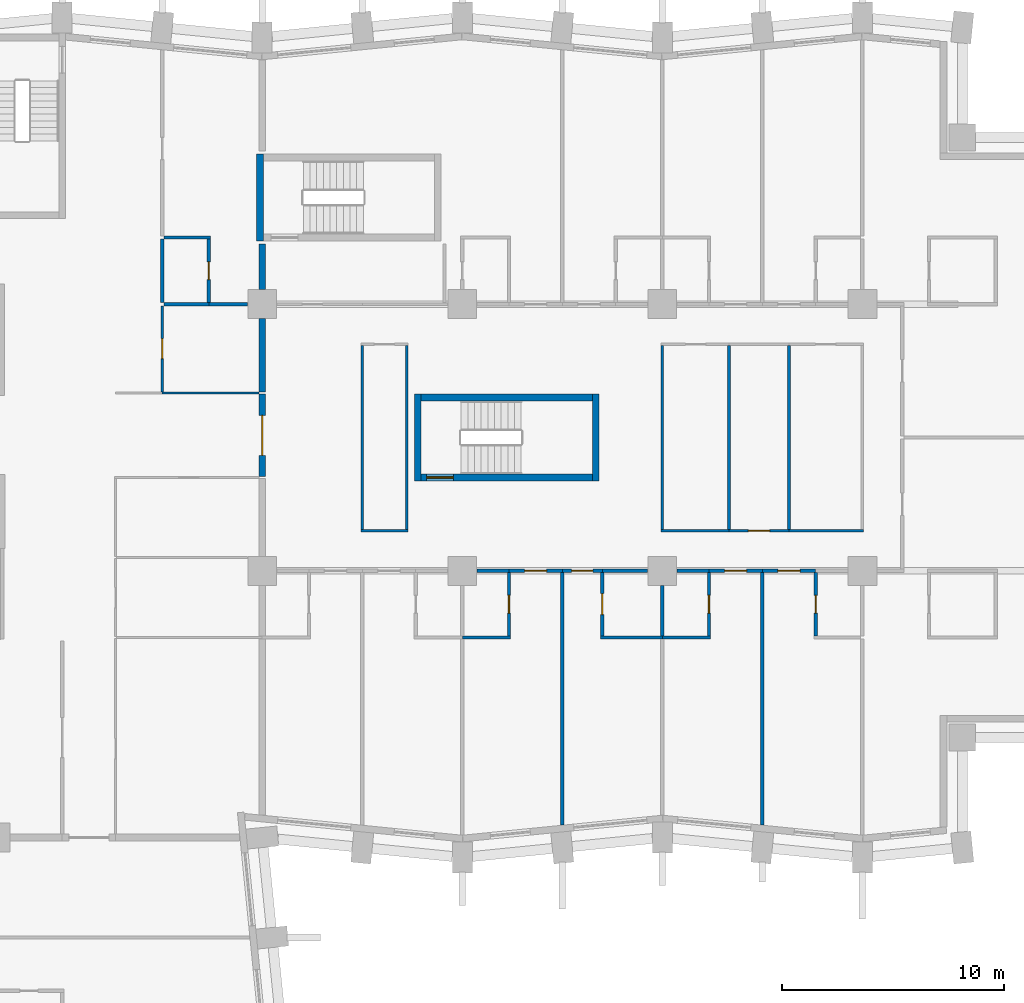
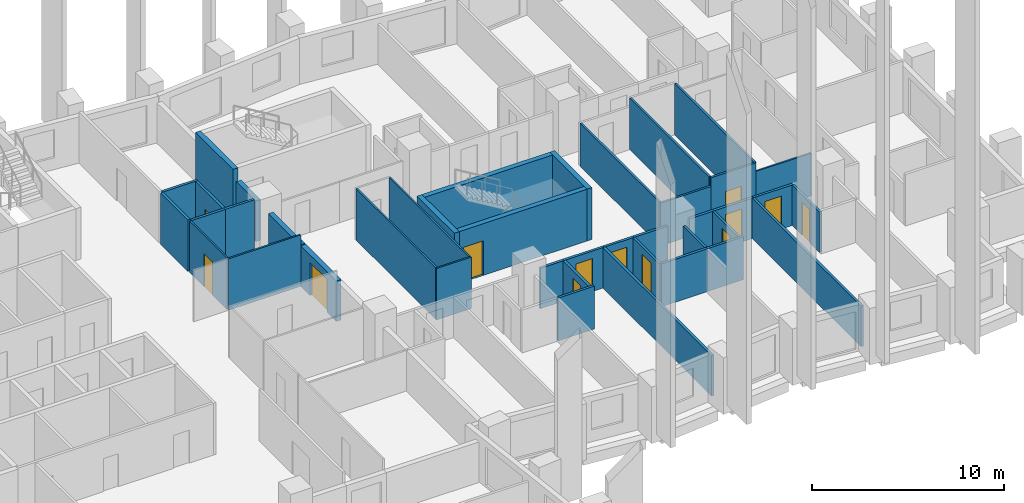
# One storey, part 8 of 13: 41 walls, 13 doors, 13 openings.
"""IFC4 building model written with IfcOpenShell, lengths in metres."""

from ifc_helpers import new_model, si_unit, direction, frame, frame_2d, origin, place, context, subcontext, project, spatial, rectangle, extrude, material, layer, layer_set, type_object, element, fill, save


model = new_model("IFC4")

# Units and contexts
model_context = context("Model", 3, precision=1e-05, world=origin(), true_north=direction((0.0, 1.0)))
body_context = subcontext(model_context, "Body", "Model", "MODEL_VIEW")
ifc_project = project(units=[si_unit("LENGTHUNIT", "METRE"), si_unit("AREAUNIT", "SQUARE_METRE"), si_unit("VOLUMEUNIT", "CUBIC_METRE"), si_unit("PLANEANGLEUNIT", "RADIAN"), si_unit("MASSUNIT", "GRAM", prefix="KILO")], contexts=[model_context])

# Site, building, storey
site_placement = place(None, origin())
site = spatial("IfcSite", under=ifc_project, at=site_placement, CompositionType="ELEMENT")
building_placement = place(site_placement, origin())
building = spatial("IfcBuilding", under=site, at=building_placement, Name="Brondeck Convention Tower", CompositionType="ELEMENT")
storey_placement = place(building_placement, frame((0.0, 0.0, 37.5)))
storey = spatial("IfcBuildingStorey", under=building, at=storey_placement, Name="L06", CompositionType="ELEMENT", Elevation=37.5)

# Wall, opening, door
ifc_material_1 = material(Name="Concrete compartment wall C30/37", Category="concrete")
ifc_layer_1 = layer(ifc_material_1, 0.300048828125)
ifc_layer_set_1 = layer_set([ifc_layer_1], Name="Compartment wall 300")
wall_type_1 = type_object("IfcWallType", Name="Compartment wall 300", PredefinedType="PARTITIONING", material=ifc_layer_set_1)
wall_1_placement = place(storey_placement, frame((36.0, 46.949951171875, 0.0), z_axis=(0.0, 0.0, 1.0), x_axis=(0.0, -1.0, 0.0)))
wall_1 = element("IfcWall", 1, at=wall_1_placement, inside=storey, type_object=wall_type_1, Name="FLR-L06-W114", PredefinedType="PARTITIONING", context=body_context, shape_type="SweptSolid", body=[
    extrude(rectangle(XDim=3.699951171875, YDim=0.300048828125, at=frame_2d((1.85009765625, 0.0))), origin(), (0.0, 0.0, 1.0), 2.580078125),
])
opening_1_placement = place(wall_1_placement, frame((0.949951171875, 0.0, 0.0)))
opening_1 = element("IfcOpeningElement", 2, at=opening_1_placement, cuts=wall_1, Name="Opening H1-054", PredefinedType="OPENING", context=body_context, shape_type="SweptSolid", body=[
    extrude(rectangle(XDim=1.800048828125, YDim=2.10009765625, at=frame_2d((0.89990234375, 1.050048828125))), frame((0.0, 0.159912109375, 0.0), z_axis=(0.0, -1.0, 0.0), x_axis=(1.0, 0.0, 0.0)), (0.0, 0.0, 1.0), 0.320068359375),
])
ifc_material_2 = material(Name="Steel fire door pair", Category="steel")
door_type_1 = type_object("IfcDoorType", Name="Fire door pair 1800", OperationType="DOUBLE_DOOR_SINGLE_SWING", PredefinedType="DOOR", material=ifc_material_2)
door_1_placement = place(opening_1_placement, origin())
door_1 = element("IfcDoor", 3, at=door_1_placement, inside=storey, type_object=door_type_1, Name="Door H1-054", OperationType="DOUBLE_DOOR_SINGLE_SWING", OverallHeight=2.10009765625, OverallWidth=1.800048828125, PredefinedType="DOOR", context=body_context, shape_type="SweptSolid", body=[
    extrude(rectangle(XDim=1.800048828125, YDim=2.10009765625, at=frame_2d((0.89990234375, 1.050048828125))), frame((0.0, 0.02490234375, 0.0), z_axis=(0.0, -1.0, 0.0), x_axis=(1.0, 0.0, 0.0)), (0.0, 0.0, 1.0), 0.050048828125),
])
fill(opening_1, door_1)

# Walls
wall_2_placement = place(storey_placement, frame((36.0, 50.344970703125, 0.0), z_axis=(0.0, 0.0, 1.0), x_axis=(0.0, -1.0, 0.0)))
element("IfcWall", 4, at=wall_2_placement, inside=storey, type_object=wall_type_1, Name="FLR-L06-W126", PredefinedType="PARTITIONING", context=body_context, shape_type="SweptSolid", body=[
    extrude(rectangle(XDim=3.294921875, YDim=0.300048828125, at=frame_2d((1.6474609375, 0.0))), origin(), (0.0, 0.0, 1.0), 2.580078125),
])
wall_3_placement = place(storey_placement, frame((36.0, 53.699951171875, 0.0), z_axis=(0.0, 0.0, 1.0), x_axis=(0.0, -1.0, 0.0)))
element("IfcWall", 5, at=wall_3_placement, inside=storey, type_object=wall_type_1, Name="FLR-L06-W147", PredefinedType="PARTITIONING", context=body_context, shape_type="SweptSolid", body=[
    extrude(rectangle(XDim=2.044921875, YDim=0.300048828125, at=frame_2d((1.0224609375, 0.0))), origin(), (0.0, 0.0, 1.0), 2.580078125),
])
ifc_material_3 = material(Name="Double gypsum board acoustic wall")
ifc_layer_2 = layer(ifc_material_3, 0.14990234375)
ifc_layer_set_2 = layer_set([ifc_layer_2], Name="Guest room party wall 150")
wall_type_2 = type_object("IfcWallType", Name="Guest room party wall 150", PredefinedType="PARTITIONING", material=ifc_layer_set_2)
wall_4_placement = place(storey_placement, frame((45.0, 36.0, 0.0), z_axis=(0.0, 0.0, 1.0), x_axis=(1.0, 0.0, 0.0)))
element("IfcWall", 6, at=wall_4_placement, inside=storey, type_object=wall_type_2, Name="FLR-L06-W068", PredefinedType="PARTITIONING", context=body_context, shape_type="SweptSolid", body=[
    extrude(rectangle(XDim=2.175048828125, YDim=0.14990234375, at=frame_2d((1.08740234375, 0.0))), origin(), (0.0, 0.0, 1.0), 2.72998046875),
])
wall_5_placement = place(storey_placement, frame((51.22509765625, 36.0, 0.0), z_axis=(0.0, 0.0, 1.0), x_axis=(1.0, 0.0, 0.0)))
element("IfcWall", 7, at=wall_5_placement, inside=storey, type_object=wall_type_2, Name="FLR-L06-W069", PredefinedType="PARTITIONING", context=body_context, shape_type="SweptSolid", body=[
    extrude(rectangle(XDim=2.77490234375, YDim=0.14990234375, at=frame_2d((1.387451171875, 0.0))), origin(), (0.0, 0.0, 1.0), 2.72998046875),
])
wall_6_placement = place(storey_placement, frame((54.0, 36.0, 0.0), z_axis=(0.0, 0.0, 1.0), x_axis=(1.0, 0.0, 0.0)))
element("IfcWall", 8, at=wall_6_placement, inside=storey, type_object=wall_type_2, Name="FLR-L06-W070", PredefinedType="PARTITIONING", context=body_context, shape_type="SweptSolid", body=[
    extrude(rectangle(XDim=2.175048828125, YDim=0.14990234375, at=frame_2d((1.08740234375, 0.0))), origin(), (0.0, 0.0, 1.0), 2.72998046875),
])

# Wall, opening, door
wall_7_placement = place(storey_placement, frame((47.10009765625, 36.074951171875, 0.0), z_axis=(0.0, 0.0, 1.0), x_axis=(0.0, 1.0, 0.0)))
wall_7 = element("IfcWall", 9, at=wall_7_placement, inside=storey, type_object=wall_type_2, Name="FLR-L06-W074", PredefinedType="PARTITIONING", context=body_context, shape_type="SweptSolid", body=[
    extrude(rectangle(XDim=2.85009765625, YDim=0.14990234375, at=frame_2d((1.425048828125, 0.0))), origin(), (0.0, 0.0, 1.0), 2.580078125),
])
opening_2_placement = place(wall_7_placement, frame((1.02490234375, 0.0, 0.0)))
opening_2 = element("IfcOpeningElement", 10, at=opening_2_placement, cuts=wall_7, Name="Opening H1-015", PredefinedType="OPENING", context=body_context, shape_type="SweptSolid", body=[
    extrude(rectangle(XDim=0.800048828125, YDim=2.10009765625, at=frame_2d((0.39990234375, 1.050048828125))), frame((0.0, 0.0849609375, 0.0), z_axis=(0.0, -1.0, 0.0), x_axis=(1.0, 0.0, 0.0)), (0.0, 0.0, 1.0), 0.169921875),
])
ifc_material_4 = material(Name="Solid timber door leaf", Category="wood")
door_type_2 = type_object("IfcDoorType", Name="En-suite door 800", OperationType="NOTDEFINED", PredefinedType="DOOR", material=ifc_material_4)
door_2_placement = place(opening_2_placement, origin())
door_2 = element("IfcDoor", 11, at=door_2_placement, inside=storey, type_object=door_type_2, Name="Door H1-015", OperationType="SINGLE_SWING_LEFT", OverallHeight=2.10009765625, OverallWidth=0.800048828125, PredefinedType="DOOR", context=body_context, shape_type="SweptSolid", body=[
    extrude(rectangle(XDim=0.800048828125, YDim=2.10009765625, at=frame_2d((0.39990234375, 1.050048828125))), frame((0.0, 0.02490234375, 0.0), z_axis=(0.0, -1.0, 0.0), x_axis=(1.0, 0.0, 0.0)), (0.0, 0.0, 1.0), 0.050048828125),
])
fill(opening_2, door_2)

wall_8_placement = place(storey_placement, frame((56.10009765625, 36.074951171875, 0.0), z_axis=(0.0, 0.0, 1.0), x_axis=(0.0, 1.0, 0.0)))
wall_8 = element("IfcWall", 12, at=wall_8_placement, inside=storey, type_object=wall_type_2, Name="FLR-L06-W075", PredefinedType="PARTITIONING", context=body_context, shape_type="SweptSolid", body=[
    extrude(rectangle(XDim=2.85009765625, YDim=0.14990234375, at=frame_2d((1.425048828125, 0.0))), origin(), (0.0, 0.0, 1.0), 2.580078125),
])
opening_3_placement = place(wall_8_placement, frame((1.02490234375, 0.0, 0.0)))
opening_3 = element("IfcOpeningElement", 13, at=opening_3_placement, cuts=wall_8, Name="Opening H1-019", PredefinedType="OPENING", context=body_context, shape_type="SweptSolid", body=[
    extrude(rectangle(XDim=0.800048828125, YDim=2.10009765625, at=frame_2d((0.39990234375, 1.050048828125))), frame((0.0, 0.0849609375, 0.0), z_axis=(0.0, -1.0, 0.0), x_axis=(1.0, 0.0, 0.0)), (0.0, 0.0, 1.0), 0.169921875),
])
door_3_placement = place(opening_3_placement, origin())
door_3 = element("IfcDoor", 14, at=door_3_placement, inside=storey, type_object=door_type_2, Name="Door H1-019", OperationType="SINGLE_SWING_LEFT", OverallHeight=2.10009765625, OverallWidth=0.800048828125, PredefinedType="DOOR", context=body_context, shape_type="SweptSolid", body=[
    extrude(rectangle(XDim=0.800048828125, YDim=2.10009765625, at=frame_2d((0.39990234375, 1.050048828125))), frame((0.0, 0.02490234375, 0.0), z_axis=(0.0, -1.0, 0.0), x_axis=(1.0, 0.0, 0.0)), (0.0, 0.0, 1.0), 0.050048828125),
])
fill(opening_3, door_3)

# Walls
wall_9_placement = place(storey_placement, frame((54.0, 38.344970703125, 0.0), z_axis=(0.0, 0.0, 1.0), x_axis=(0.0, -1.0, 0.0)))
element("IfcWall", 15, at=wall_9_placement, inside=storey, type_object=wall_type_2, Name="FLR-L06-W079", PredefinedType="PARTITIONING", context=body_context, shape_type="SweptSolid", body=[
    extrude(rectangle(XDim=2.27001953125, YDim=0.14990234375, at=frame_2d((1.135009765625, 0.0))), origin(), (0.0, 0.0, 1.0), 2.72998046875),
])
wall_10_placement = place(storey_placement, frame((49.5, 38.925048828125, 0.0), z_axis=(0.0, 0.0, 1.0), x_axis=(0.0, -1.0, 0.0)))
element("IfcWall", 16, at=wall_10_placement, inside=storey, type_object=wall_type_2, Name="FLR-L06-W083", PredefinedType="PARTITIONING", context=body_context, shape_type="SweptSolid", body=[
    extrude(rectangle(XDim=11.35009765625, YDim=0.14990234375, at=frame_2d((5.675048828125, 0.0))), origin(), (0.0, 0.0, 1.0), 2.580078125),
])

# Wall, opening, door
wall_11_placement = place(storey_placement, frame((51.300048828125, 38.925048828125, 0.0), z_axis=(0.0, 0.0, 1.0), x_axis=(0.0, -1.0, 0.0)))
wall_11 = element("IfcWall", 17, at=wall_11_placement, inside=storey, type_object=wall_type_2, Name="FLR-L06-W084", PredefinedType="PARTITIONING", context=body_context, shape_type="SweptSolid", body=[
    extrude(rectangle(XDim=2.85009765625, YDim=0.14990234375, at=frame_2d((1.425048828125, 0.0))), origin(), (0.0, 0.0, 1.0), 2.580078125),
])
opening_4_placement = place(wall_11_placement, frame((0.949951171875, 0.0, 0.0)))
opening_4 = element("IfcOpeningElement", 18, at=opening_4_placement, cuts=wall_11, Name="Opening H1-017", PredefinedType="OPENING", context=body_context, shape_type="SweptSolid", body=[
    extrude(rectangle(XDim=0.949951171875, YDim=2.10009765625, at=frame_2d((0.47509765625, 1.050048828125))), frame((0.0, 0.0849609375, 0.0), z_axis=(0.0, -1.0, 0.0), x_axis=(1.0, 0.0, 0.0)), (0.0, 0.0, 1.0), 0.169921875),
])
door_type_3 = type_object("IfcDoorType", Name="Accessible door 950", OperationType="NOTDEFINED", PredefinedType="DOOR", material=ifc_material_4)
door_4_placement = place(opening_4_placement, origin())
door_4 = element("IfcDoor", 19, at=door_4_placement, inside=storey, type_object=door_type_3, Name="Door H1-017", OperationType="SINGLE_SWING_LEFT", OverallHeight=2.10009765625, OverallWidth=0.949951171875, PredefinedType="DOOR", context=body_context, shape_type="SweptSolid", body=[
    extrude(rectangle(XDim=0.949951171875, YDim=2.10009765625, at=frame_2d((0.47509765625, 1.050048828125))), frame((0.0, 0.02490234375, 0.0), z_axis=(0.0, -1.0, 0.0), x_axis=(1.0, 0.0, 0.0)), (0.0, 0.0, 1.0), 0.050048828125),
])
fill(opening_4, door_4)

# Wall
wall_12_placement = place(storey_placement, frame((58.5, 38.925048828125, 0.0), z_axis=(0.0, 0.0, 1.0), x_axis=(0.0, -1.0, 0.0)))
element("IfcWall", 20, at=wall_12_placement, inside=storey, type_object=wall_type_2, Name="FLR-L06-W085", PredefinedType="PARTITIONING", context=body_context, shape_type="SweptSolid", body=[
    extrude(rectangle(XDim=11.35009765625, YDim=0.14990234375, at=frame_2d((5.675048828125, 0.0))), origin(), (0.0, 0.0, 1.0), 2.580078125),
])

# Wall, opening, door
wall_13_placement = place(storey_placement, frame((60.89990234375, 38.925048828125, 0.0), z_axis=(0.0, 0.0, 1.0), x_axis=(0.0, -1.0, 0.0)))
wall_13 = element("IfcWall", 21, at=wall_13_placement, inside=storey, type_object=wall_type_2, Name="FLR-L06-W086", PredefinedType="PARTITIONING", context=body_context, shape_type="SweptSolid", body=[
    extrude(rectangle(XDim=2.85009765625, YDim=0.14990234375, at=frame_2d((1.425048828125, 0.0))), origin(), (0.0, 0.0, 1.0), 2.580078125),
])
opening_5_placement = place(wall_13_placement, frame((1.02490234375, 0.0, 0.0)))
opening_5 = element("IfcOpeningElement", 22, at=opening_5_placement, cuts=wall_13, Name="Opening H1-021", PredefinedType="OPENING", context=body_context, shape_type="SweptSolid", body=[
    extrude(rectangle(XDim=0.800048828125, YDim=2.10009765625, at=frame_2d((0.39990234375, 1.050048828125))), frame((0.0, 0.0849609375, 0.0), z_axis=(0.0, -1.0, 0.0), x_axis=(1.0, 0.0, 0.0)), (0.0, 0.0, 1.0), 0.169921875),
])
door_5_placement = place(opening_5_placement, origin())
door_5 = element("IfcDoor", 23, at=door_5_placement, inside=storey, type_object=door_type_2, Name="Door H1-021", OperationType="SINGLE_SWING_LEFT", OverallHeight=2.10009765625, OverallWidth=0.800048828125, PredefinedType="DOOR", context=body_context, shape_type="SweptSolid", body=[
    extrude(rectangle(XDim=0.800048828125, YDim=2.10009765625, at=frame_2d((0.39990234375, 1.050048828125))), frame((0.0, 0.02490234375, 0.0), z_axis=(0.0, -1.0, 0.0), x_axis=(1.0, 0.0, 0.0)), (0.0, 0.0, 1.0), 0.050048828125),
])
fill(opening_5, door_5)

# Wall
wall_14_placement = place(storey_placement, frame((47.10009765625, 39.0, 0.0), z_axis=(0.0, 0.0, 1.0), x_axis=(-1.0, 0.0, 0.0)))
element("IfcWall", 24, at=wall_14_placement, inside=storey, type_object=wall_type_2, Name="FLR-L06-W092", PredefinedType="PARTITIONING", context=body_context, shape_type="SweptSolid", body=[
    extrude(rectangle(XDim=1.445068359375, YDim=0.14990234375, at=frame_2d((0.72265625, 0.0))), origin(), (0.0, 0.0, 1.0), 2.580078125),
])

# Wall, opening, door
wall_15_placement = place(storey_placement, frame((49.5, 39.0, 0.0), z_axis=(0.0, 0.0, 1.0), x_axis=(-1.0, 0.0, 0.0)))
wall_15 = element("IfcWall", 25, at=wall_15_placement, inside=storey, type_object=wall_type_2, Name="FLR-L06-W093", PredefinedType="PARTITIONING", context=body_context, shape_type="SweptSolid", body=[
    extrude(rectangle(XDim=2.39990234375, YDim=0.14990234375, at=frame_2d((1.199951171875, 0.0))), origin(), (0.0, 0.0, 1.0), 2.580078125),
])
opening_6_placement = place(wall_15_placement, frame((0.699951171875, 0.0, 0.0)))
opening_6 = element("IfcOpeningElement", 26, at=opening_6_placement, cuts=wall_15, Name="Opening H1-014", PredefinedType="OPENING", context=body_context, shape_type="SweptSolid", body=[
    extrude(rectangle(XDim=1.0, YDim=2.10009765625, at=frame_2d((0.5, 1.050048828125))), frame((0.0, 0.0849609375, 0.0), z_axis=(0.0, -1.0, 0.0), x_axis=(1.0, 0.0, 0.0)), (0.0, 0.0, 1.0), 0.169921875),
])
ifc_material_5 = material(Name="Solid timber fire door leaf", Category="wood")
door_type_4 = type_object("IfcDoorType", Name="Guest room door 1000", OperationType="NOTDEFINED", PredefinedType="DOOR", material=ifc_material_5)
door_6_placement = place(opening_6_placement, origin())
door_6 = element("IfcDoor", 27, at=door_6_placement, inside=storey, type_object=door_type_4, Name="Door H1-014", OperationType="SINGLE_SWING_LEFT", OverallHeight=2.10009765625, OverallWidth=1.0, PredefinedType="DOOR", context=body_context, shape_type="SweptSolid", body=[
    extrude(rectangle(XDim=1.0, YDim=2.10009765625, at=frame_2d((0.5, 1.050048828125))), frame((0.0, 0.02490234375, 0.0), z_axis=(0.0, -1.0, 0.0), x_axis=(1.0, 0.0, 0.0)), (0.0, 0.0, 1.0), 0.050048828125),
])
fill(opening_6, door_6)

wall_16_placement = place(storey_placement, frame((51.300048828125, 39.0, 0.0), z_axis=(0.0, 0.0, 1.0), x_axis=(-1.0, 0.0, 0.0)))
wall_16 = element("IfcWall", 28, at=wall_16_placement, inside=storey, type_object=wall_type_2, Name="FLR-L06-W094", PredefinedType="PARTITIONING", context=body_context, shape_type="SweptSolid", body=[
    extrude(rectangle(XDim=1.800048828125, YDim=0.14990234375, at=frame_2d((0.89990234375, 0.0))), origin(), (0.0, 0.0, 1.0), 2.580078125),
])
opening_7_placement = place(wall_16_placement, frame((0.425048828125, 0.0, 0.0)))
opening_7 = element("IfcOpeningElement", 29, at=opening_7_placement, cuts=wall_16, Name="Opening H1-016", PredefinedType="OPENING", context=body_context, shape_type="SweptSolid", body=[
    extrude(rectangle(XDim=0.949951171875, YDim=2.10009765625, at=frame_2d((0.47509765625, 1.050048828125))), frame((0.0, 0.0849609375, 0.0), z_axis=(0.0, -1.0, 0.0), x_axis=(1.0, 0.0, 0.0)), (0.0, 0.0, 1.0), 0.169921875),
])
door_7_placement = place(opening_7_placement, origin())
door_7 = element("IfcDoor", 30, at=door_7_placement, inside=storey, type_object=door_type_3, Name="Door H1-016", OperationType="SINGLE_SWING_LEFT", OverallHeight=2.10009765625, OverallWidth=0.949951171875, PredefinedType="DOOR", context=body_context, shape_type="SweptSolid", body=[
    extrude(rectangle(XDim=0.949951171875, YDim=2.10009765625, at=frame_2d((0.47509765625, 1.050048828125))), frame((0.0, 0.02490234375, 0.0), z_axis=(0.0, -1.0, 0.0), x_axis=(1.0, 0.0, 0.0)), (0.0, 0.0, 1.0), 0.050048828125),
])
fill(opening_7, door_7)

# Walls
wall_17_placement = place(storey_placement, frame((53.344970703125, 39.0, 0.0), z_axis=(0.0, 0.0, 1.0), x_axis=(-1.0, 0.0, 0.0)))
element("IfcWall", 31, at=wall_17_placement, inside=storey, type_object=wall_type_2, Name="FLR-L06-W095", PredefinedType="PARTITIONING", context=body_context, shape_type="SweptSolid", body=[
    extrude(rectangle(XDim=2.044921875, YDim=0.14990234375, at=frame_2d((1.0224609375, 0.0))), origin(), (0.0, 0.0, 1.0), 2.580078125),
])
wall_18_placement = place(storey_placement, frame((56.10009765625, 39.0, 0.0), z_axis=(0.0, 0.0, 1.0), x_axis=(-1.0, 0.0, 0.0)))
element("IfcWall", 32, at=wall_18_placement, inside=storey, type_object=wall_type_2, Name="FLR-L06-W096", PredefinedType="PARTITIONING", context=body_context, shape_type="SweptSolid", body=[
    extrude(rectangle(XDim=1.445068359375, YDim=0.14990234375, at=frame_2d((0.72265625, 0.0))), origin(), (0.0, 0.0, 1.0), 2.580078125),
])

# Wall, opening, door
wall_19_placement = place(storey_placement, frame((58.5, 39.0, 0.0), z_axis=(0.0, 0.0, 1.0), x_axis=(-1.0, 0.0, 0.0)))
wall_19 = element("IfcWall", 33, at=wall_19_placement, inside=storey, type_object=wall_type_2, Name="FLR-L06-W097", PredefinedType="PARTITIONING", context=body_context, shape_type="SweptSolid", body=[
    extrude(rectangle(XDim=2.39990234375, YDim=0.14990234375, at=frame_2d((1.199951171875, 0.0))), origin(), (0.0, 0.0, 1.0), 2.580078125),
])
opening_8_placement = place(wall_19_placement, frame((0.699951171875, 0.0, 0.0)))
opening_8 = element("IfcOpeningElement", 34, at=opening_8_placement, cuts=wall_19, Name="Opening H1-018", PredefinedType="OPENING", context=body_context, shape_type="SweptSolid", body=[
    extrude(rectangle(XDim=1.0, YDim=2.10009765625, at=frame_2d((0.5, 1.050048828125))), frame((0.0, 0.0849609375, 0.0), z_axis=(0.0, -1.0, 0.0), x_axis=(1.0, 0.0, 0.0)), (0.0, 0.0, 1.0), 0.169921875),
])
door_8_placement = place(opening_8_placement, origin())
door_8 = element("IfcDoor", 35, at=door_8_placement, inside=storey, type_object=door_type_4, Name="Door H1-018", OperationType="SINGLE_SWING_LEFT", OverallHeight=2.10009765625, OverallWidth=1.0, PredefinedType="DOOR", context=body_context, shape_type="SweptSolid", body=[
    extrude(rectangle(XDim=1.0, YDim=2.10009765625, at=frame_2d((0.5, 1.050048828125))), frame((0.0, 0.02490234375, 0.0), z_axis=(0.0, -1.0, 0.0), x_axis=(1.0, 0.0, 0.0)), (0.0, 0.0, 1.0), 0.050048828125),
])
fill(opening_8, door_8)

wall_20_placement = place(storey_placement, frame((60.89990234375, 39.0, 0.0), z_axis=(0.0, 0.0, 1.0), x_axis=(-1.0, 0.0, 0.0)))
wall_20 = element("IfcWall", 36, at=wall_20_placement, inside=storey, type_object=wall_type_2, Name="FLR-L06-W098", PredefinedType="PARTITIONING", context=body_context, shape_type="SweptSolid", body=[
    extrude(rectangle(XDim=2.39990234375, YDim=0.14990234375, at=frame_2d((1.199951171875, 0.0))), origin(), (0.0, 0.0, 1.0), 2.580078125),
])
opening_9_placement = place(wall_20_placement, frame((0.699951171875, 0.0, 0.0)))
opening_9 = element("IfcOpeningElement", 37, at=opening_9_placement, cuts=wall_20, Name="Opening H1-020", PredefinedType="OPENING", context=body_context, shape_type="SweptSolid", body=[
    extrude(rectangle(XDim=1.0, YDim=2.10009765625, at=frame_2d((0.5, 1.050048828125))), frame((0.0, 0.0849609375, 0.0), z_axis=(0.0, -1.0, 0.0), x_axis=(1.0, 0.0, 0.0)), (0.0, 0.0, 1.0), 0.169921875),
])
door_9_placement = place(opening_9_placement, origin())
door_9 = element("IfcDoor", 38, at=door_9_placement, inside=storey, type_object=door_type_4, Name="Door H1-020", OperationType="SINGLE_SWING_LEFT", OverallHeight=2.10009765625, OverallWidth=1.0, PredefinedType="DOOR", context=body_context, shape_type="SweptSolid", body=[
    extrude(rectangle(XDim=1.0, YDim=2.10009765625, at=frame_2d((0.5, 1.050048828125))), frame((0.0, 0.02490234375, 0.0), z_axis=(0.0, -1.0, 0.0), x_axis=(1.0, 0.0, 0.0)), (0.0, 0.0, 1.0), 0.050048828125),
])
fill(opening_9, door_9)

# Walls
wall_21_placement = place(storey_placement, frame((31.574951171875, 51.0, 0.0), z_axis=(0.0, 0.0, 1.0), x_axis=(1.0, 0.0, 0.0)))
element("IfcWall", 39, at=wall_21_placement, inside=storey, type_object=wall_type_2, Name="FLR-L06-W129", PredefinedType="PARTITIONING", context=body_context, shape_type="SweptSolid", body=[
    extrude(rectangle(XDim=2.025146484375, YDim=0.14990234375, at=frame_2d((1.0126953125, 0.0))), origin(), (0.0, 0.0, 1.0), 3.280029296875),
])
wall_22_placement = place(storey_placement, frame((33.60009765625, 51.0, 0.0), z_axis=(0.0, 0.0, 1.0), x_axis=(1.0, 0.0, 0.0)))
element("IfcWall", 40, at=wall_22_placement, inside=storey, type_object=wall_type_2, Name="FLR-L06-W130", PredefinedType="PARTITIONING", context=body_context, shape_type="SweptSolid", body=[
    extrude(rectangle(XDim=1.744873046875, YDim=0.14990234375, at=frame_2d((0.87255859375, 0.0))), origin(), (0.0, 0.0, 1.0), 3.280029296875),
])

# Wall, opening, door
wall_23_placement = place(storey_placement, frame((33.60009765625, 51.074951171875, 0.0), z_axis=(0.0, 0.0, 1.0), x_axis=(0.0, 1.0, 0.0)))
wall_23 = element("IfcWall", 41, at=wall_23_placement, inside=storey, type_object=wall_type_2, Name="FLR-L06-W143", PredefinedType="PARTITIONING", context=body_context, shape_type="SweptSolid", body=[
    extrude(rectangle(XDim=2.85009765625, YDim=0.14990234375, at=frame_2d((1.425048828125, 0.0))), origin(), (0.0, 0.0, 1.0), 3.280029296875),
])
opening_10_placement = place(wall_23_placement, frame((1.02490234375, 0.0, 0.0)))
opening_10 = element("IfcOpeningElement", 42, at=opening_10_placement, cuts=wall_23, Name="Opening H1-047", PredefinedType="OPENING", context=body_context, shape_type="SweptSolid", body=[
    extrude(rectangle(XDim=0.800048828125, YDim=2.10009765625, at=frame_2d((0.39990234375, 1.050048828125))), frame((0.0, 0.0849609375, 0.0), z_axis=(0.0, -1.0, 0.0), x_axis=(1.0, 0.0, 0.0)), (0.0, 0.0, 1.0), 0.169921875),
])
door_10_placement = place(opening_10_placement, origin())
door_10 = element("IfcDoor", 43, at=door_10_placement, inside=storey, type_object=door_type_2, Name="Door H1-047", OperationType="SINGLE_SWING_LEFT", OverallHeight=2.10009765625, OverallWidth=0.800048828125, PredefinedType="DOOR", context=body_context, shape_type="SweptSolid", body=[
    extrude(rectangle(XDim=0.800048828125, YDim=2.10009765625, at=frame_2d((0.39990234375, 1.050048828125))), frame((0.0, 0.02490234375, 0.0), z_axis=(0.0, -1.0, 0.0), x_axis=(1.0, 0.0, 0.0)), (0.0, 0.0, 1.0), 0.050048828125),
])
fill(opening_10, door_10)

# Walls
wall_24_placement = place(storey_placement, frame((31.5, 53.925048828125, 0.0), z_axis=(0.0, 0.0, 1.0), x_axis=(0.0, -1.0, 0.0)))
element("IfcWall", 44, at=wall_24_placement, inside=storey, type_object=wall_type_2, Name="FLR-L06-W149", PredefinedType="PARTITIONING", context=body_context, shape_type="SweptSolid", body=[
    extrude(rectangle(XDim=2.85009765625, YDim=0.14990234375, at=frame_2d((1.425048828125, 0.0))), origin(), (0.0, 0.0, 1.0), 3.280029296875),
])
wall_25_placement = place(storey_placement, frame((33.675048828125, 54.0, 0.0), z_axis=(0.0, 0.0, 1.0), x_axis=(-1.0, 0.0, 0.0)))
element("IfcWall", 45, at=wall_25_placement, inside=storey, type_object=wall_type_2, Name="FLR-L06-W156", PredefinedType="PARTITIONING", context=body_context, shape_type="SweptSolid", body=[
    extrude(rectangle(XDim=2.10009765625, YDim=0.14990234375, at=frame_2d((1.050048828125, 0.0))), origin(), (0.0, 0.0, 1.0), 3.280029296875),
])
ifc_material_6 = material(Name="Gypsum board shaft wall on steel studs", Category="steel")
ifc_layer_3 = layer(ifc_material_6, 0.125)
ifc_layer_set_3 = layer_set([ifc_layer_3], Name="Riser wall 125")
wall_type_3 = type_object("IfcWallType", Name="Riser wall 125", PredefinedType="PARTITIONING", material=ifc_layer_set_3)
wall_26_placement = place(storey_placement, frame((53.9375, 40.800048828125, 0.0), z_axis=(0.0, 0.0, 1.0), x_axis=(1.0, 0.0, 0.0)))
element("IfcWall", 46, at=wall_26_placement, inside=storey, type_object=wall_type_3, Name="FLR-L06-W105", PredefinedType="PARTITIONING", context=body_context, shape_type="SweptSolid", body=[
    extrude(rectangle(XDim=3.0625, YDim=0.125, at=frame_2d((1.53125, 0.0))), origin(), (0.0, 0.0, 1.0), 2.72998046875),
])

# Wall, opening, door
wall_27_placement = place(storey_placement, frame((57.0, 40.800048828125, 0.0), z_axis=(0.0, 0.0, 1.0), x_axis=(1.0, 0.0, 0.0)))
wall_27 = element("IfcWall", 47, at=wall_27_placement, inside=storey, type_object=wall_type_3, Name="FLR-L06-W106", PredefinedType="PARTITIONING", context=body_context, shape_type="SweptSolid", body=[
    extrude(rectangle(XDim=2.699951171875, YDim=0.125, at=frame_2d((1.35009765625, 0.0))), origin(), (0.0, 0.0, 1.0), 3.280029296875),
])
opening_11_placement = place(wall_27_placement, frame((0.875, 0.0, 0.0)))
opening_11 = element("IfcOpeningElement", 48, at=opening_11_placement, cuts=wall_27, Name="Opening H1-024", PredefinedType="OPENING", context=body_context, shape_type="SweptSolid", body=[
    extrude(rectangle(XDim=0.949951171875, YDim=2.10009765625, at=frame_2d((0.47509765625, 1.050048828125))), frame((0.0, 0.072509765625, 0.0), z_axis=(0.0, -1.0, 0.0), x_axis=(1.0, 0.0, 0.0)), (0.0, 0.0, 1.0), 0.14501953125),
])
door_11_placement = place(opening_11_placement, origin())
door_11 = element("IfcDoor", 49, at=door_11_placement, inside=storey, type_object=door_type_3, Name="Door H1-024", OperationType="SINGLE_SWING_LEFT", OverallHeight=2.10009765625, OverallWidth=0.949951171875, PredefinedType="DOOR", context=body_context, shape_type="SweptSolid", body=[
    extrude(rectangle(XDim=0.949951171875, YDim=2.10009765625, at=frame_2d((0.47509765625, 1.050048828125))), frame((0.0, 0.02490234375, 0.0), z_axis=(0.0, -1.0, 0.0), x_axis=(1.0, 0.0, 0.0)), (0.0, 0.0, 1.0), 0.050048828125),
])
fill(opening_11, door_11)

# Walls
wall_28_placement = place(storey_placement, frame((54.0, 49.137451171875, 0.0), z_axis=(0.0, 0.0, 1.0), x_axis=(0.0, -1.0, 0.0)))
element("IfcWall", 50, at=wall_28_placement, inside=storey, type_object=wall_type_3, Name="FLR-L06-W117", PredefinedType="PARTITIONING", context=body_context, shape_type="SweptSolid", body=[
    extrude(rectangle(XDim=8.27490234375, YDim=0.125, at=frame_2d((4.137451171875, 0.0))), origin(), (0.0, 0.0, 1.0), 2.72998046875),
])
for number, where, z_axis, x_axis, name in (
    (51, (57.0, 49.137451171875, 0.0), (0.0, 0.0, 1.0), (0.0, -1.0, 0.0), "FLR-L06-W118"),
    (52, (59.699951171875, 49.137451171875, 0.0), (0.0, 0.0, 1.0), (0.0, -1.0, 0.0), "FLR-L06-W119"),
):
    element("IfcWall", number, at=place(storey_placement, frame(where, z_axis=z_axis, x_axis=x_axis)), inside=storey, type_object=wall_type_3, Name=name, PredefinedType="PARTITIONING", context=body_context, shape_type="SweptSolid", body=[
        extrude(rectangle(XDim=8.27490234375, YDim=0.125, at=frame_2d((4.137451171875, 0.0))), origin(), (0.0, 0.0, 1.0), 3.280029296875),
    ])
ifc_material_7 = material(Name="Gypsum board partition on steel studs", Category="steel")
ifc_layer_4 = layer(ifc_material_7, 0.10009765625)
ifc_layer_set_4 = layer_set([ifc_layer_4], Name="Room partition 100")
wall_type_4 = type_object("IfcWallType", Name="Room partition 100", PredefinedType="PARTITIONING", material=ifc_layer_set_4)
wall_29_placement = place(storey_placement, frame((40.449951171875, 40.800048828125, 0.0), z_axis=(0.0, 0.0, 1.0), x_axis=(1.0, 0.0, 0.0)))
element("IfcWall", 53, at=wall_29_placement, inside=storey, type_object=wall_type_4, Name="FLR-L06-W104", PredefinedType="PARTITIONING", context=body_context, shape_type="SweptSolid", body=[
    extrude(rectangle(XDim=2.10009765625, YDim=0.10009765625, at=frame_2d((1.050048828125, 0.0))), origin(), (0.0, 0.0, 1.0), 3.280029296875),
])
wall_30_placement = place(storey_placement, frame((59.699951171875, 40.800048828125, 0.0), z_axis=(0.0, 0.0, 1.0), x_axis=(1.0, 0.0, 0.0)))
element("IfcWall", 54, at=wall_30_placement, inside=storey, type_object=wall_type_4, Name="FLR-L06-W107", PredefinedType="PARTITIONING", context=body_context, shape_type="SweptSolid", body=[
    extrude(rectangle(XDim=3.35009765625, YDim=0.10009765625, at=frame_2d((1.675048828125, 0.0))), origin(), (0.0, 0.0, 1.0), 2.72998046875),
])
wall_31_placement = place(storey_placement, frame((31.5, 47.0, 0.0), z_axis=(0.0, 0.0, 1.0), x_axis=(1.0, 0.0, 0.0)))
element("IfcWall", 55, at=wall_31_placement, inside=storey, type_object=wall_type_4, Name="FLR-L06-W116", PredefinedType="PARTITIONING", context=body_context, shape_type="SweptSolid", body=[
    extrude(rectangle(XDim=4.35009765625, YDim=0.10009765625, at=frame_2d((2.175048828125, 0.0))), origin(), (0.0, 0.0, 1.0), 3.280029296875),
])
for number, where, z_axis, x_axis, name in (
    (56, (40.5, 49.14990234375, 0.0), (0.0, 0.0, 1.0), (0.0, -1.0, 0.0), "FLR-L06-W120"),
    (57, (42.5, 49.14990234375, 0.0), (0.0, 0.0, 1.0), (0.0, -1.0, 0.0), "FLR-L06-W121"),
):
    element("IfcWall", number, at=place(storey_placement, frame(where, z_axis=z_axis, x_axis=x_axis)), inside=storey, type_object=wall_type_4, Name=name, PredefinedType="PARTITIONING", context=body_context, shape_type="SweptSolid", body=[
        extrude(rectangle(XDim=8.2998046875, YDim=0.10009765625, at=frame_2d((4.14990234375, 0.0))), origin(), (0.0, 0.0, 1.0), 3.280029296875),
    ])

# Wall, opening, door
wall_32_placement = place(storey_placement, frame((31.5, 50.925048828125, 0.0), z_axis=(0.0, 0.0, 1.0), x_axis=(0.0, -1.0, 0.0)))
wall_32 = element("IfcWall", 58, at=wall_32_placement, inside=storey, type_object=wall_type_4, Name="FLR-L06-W127", PredefinedType="PARTITIONING", context=body_context, shape_type="SweptSolid", body=[
    extrude(rectangle(XDim=3.875, YDim=0.10009765625, at=frame_2d((1.9375, 0.0))), origin(), (0.0, 0.0, 1.0), 3.280029296875),
])
opening_12_placement = place(wall_32_placement, frame((1.47509765625, 0.0, 0.0)))
opening_12 = element("IfcOpeningElement", 59, at=opening_12_placement, cuts=wall_32, Name="Opening H1-048", PredefinedType="OPENING", context=body_context, shape_type="SweptSolid", body=[
    extrude(rectangle(XDim=0.89990234375, YDim=2.10009765625, at=frame_2d((0.449951171875, 1.050048828125))), frame((0.0, 0.06005859375, 0.0), z_axis=(0.0, -1.0, 0.0), x_axis=(1.0, 0.0, 0.0)), (0.0, 0.0, 1.0), 0.1201171875),
])
door_type_5 = type_object("IfcDoorType", Name="Single door 900", OperationType="NOTDEFINED", PredefinedType="DOOR", material=ifc_material_4)
door_12_placement = place(opening_12_placement, origin())
door_12 = element("IfcDoor", 60, at=door_12_placement, inside=storey, type_object=door_type_5, Name="Door H1-048", OperationType="SINGLE_SWING_LEFT", OverallHeight=2.10009765625, OverallWidth=0.89990234375, PredefinedType="DOOR", context=body_context, shape_type="SweptSolid", body=[
    extrude(rectangle(XDim=0.89990234375, YDim=2.10009765625, at=frame_2d((0.449951171875, 1.050048828125))), frame((0.0, 0.02490234375, 0.0), z_axis=(0.0, -1.0, 0.0), x_axis=(1.0, 0.0, 0.0)), (0.0, 0.0, 1.0), 0.050048828125),
])
fill(opening_12, door_12)

ifc_material_8 = material(Name="Concrete C80/95", Category="concrete")
ifc_layer_5 = layer(ifc_material_8, 0.300048828125)
ifc_layer_set_5 = layer_set([ifc_layer_5], Name="Stair enclosure wall 300 Concrete C80/95")
wall_type_5 = type_object("IfcWallType", Name="Stair enclosure wall 300 Concrete C80/95", PredefinedType="SHEAR", material=ifc_layer_set_5)
wall_33_placement = place(storey_placement, frame((43.14990234375, 43.199951171875, 0.0), z_axis=(0.0, 0.0, 1.0), x_axis=(1.0, 0.0, 0.0)))
wall_33 = element("IfcWall", 61, at=wall_33_placement, inside=storey, type_object=wall_type_5, Name="L06 core wall", PredefinedType="SHEAR", context=body_context, shape_type="SweptSolid", body=[
    extrude(rectangle(XDim=7.7001953125, YDim=0.300048828125, at=frame_2d((3.85009765625, 0.0))), origin(), (0.0, 0.0, 1.0), 3.300048828125),
])
opening_13_placement = place(wall_33_placement, frame((0.25, 0.0, 0.0)))
opening_13 = element("IfcOpeningElement", 62, at=opening_13_placement, cuts=wall_33, Name="Opening C08-18", PredefinedType="OPENING", context=body_context, shape_type="SweptSolid", body=[
    extrude(rectangle(XDim=1.199951171875, YDim=2.199951171875, at=frame_2d((0.60009765625, 1.10009765625))), frame((0.0, 0.159912109375, 0.0), z_axis=(0.0, -1.0, 0.0), x_axis=(1.0, 0.0, 0.0)), (0.0, 0.0, 1.0), 0.320068359375),
])
ifc_material_9 = material(Name="Steel fire door", Category="steel")
door_type_6 = type_object("IfcDoorType", Name="Stair door 1200x2200 EI 90", OperationType="NOTDEFINED", PredefinedType="DOOR", material=ifc_material_9)
door_13_placement = place(opening_13_placement, origin())
door_13 = element("IfcDoor", 63, at=door_13_placement, inside=storey, type_object=door_type_6, Name="L06 Stair door ST-AF", OperationType="SINGLE_SWING_RIGHT", OverallHeight=2.199951171875, OverallWidth=1.199951171875, PredefinedType="DOOR", context=body_context, shape_type="SweptSolid", body=[
    extrude(rectangle(XDim=1.199951171875, YDim=2.199951171875, at=frame_2d((0.60009765625, 1.10009765625))), frame((0.0, 0.02490234375, 0.0), z_axis=(0.0, -1.0, 0.0), x_axis=(1.0, 0.0, 0.0)), (0.0, 0.0, 1.0), 0.050048828125),
])
fill(opening_13, door_13)

# Walls
wall_34_placement = place(storey_placement, frame((43.14990234375, 46.800048828125, 0.0), z_axis=(0.0, 0.0, 1.0), x_axis=(1.0, 0.0, 0.0)))
element("IfcWall", 64, at=wall_34_placement, inside=storey, type_object=wall_type_5, Name="L06 core wall", PredefinedType="SHEAR", context=body_context, shape_type="SweptSolid", body=[
    extrude(rectangle(XDim=7.7001953125, YDim=0.300048828125, at=frame_2d((3.85009765625, 0.0))), origin(), (0.0, 0.0, 1.0), 3.300048828125),
])
for number, where, z_axis, x_axis, name in (
    (65, (35.89990234375, 53.85009765625, 0.0), (0.0, 0.0, 1.0), (0.0, 1.0, 0.0), "L06 core wall"),
    (66, (43.0, 43.050048828125, 0.0), (0.0, 0.0, 1.0), (0.0, 1.0, 0.0), "L06 core wall"),
    (67, (51.0, 43.050048828125, 0.0), (0.0, 0.0, 1.0), (0.0, 1.0, 0.0), "L06 core wall"),
):
    element("IfcWall", number, at=place(storey_placement, frame(where, z_axis=z_axis, x_axis=x_axis)), inside=storey, type_object=wall_type_5, Name=name, PredefinedType="SHEAR", context=body_context, shape_type="SweptSolid", body=[
        extrude(rectangle(XDim=3.89990234375, YDim=0.300048828125, at=frame_2d((1.949951171875, 0.0))), origin(), (0.0, 0.0, 1.0), 3.300048828125),
    ])

save(model, "model.ifc")
